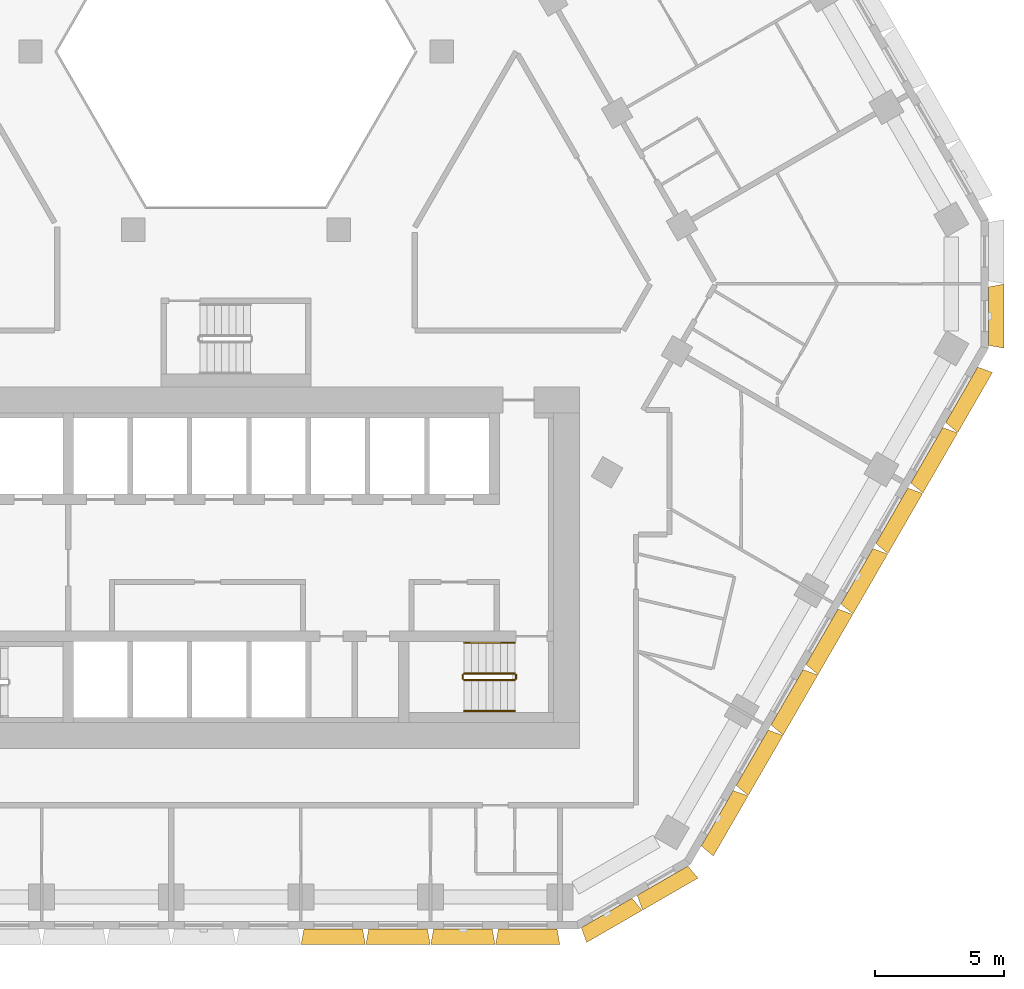
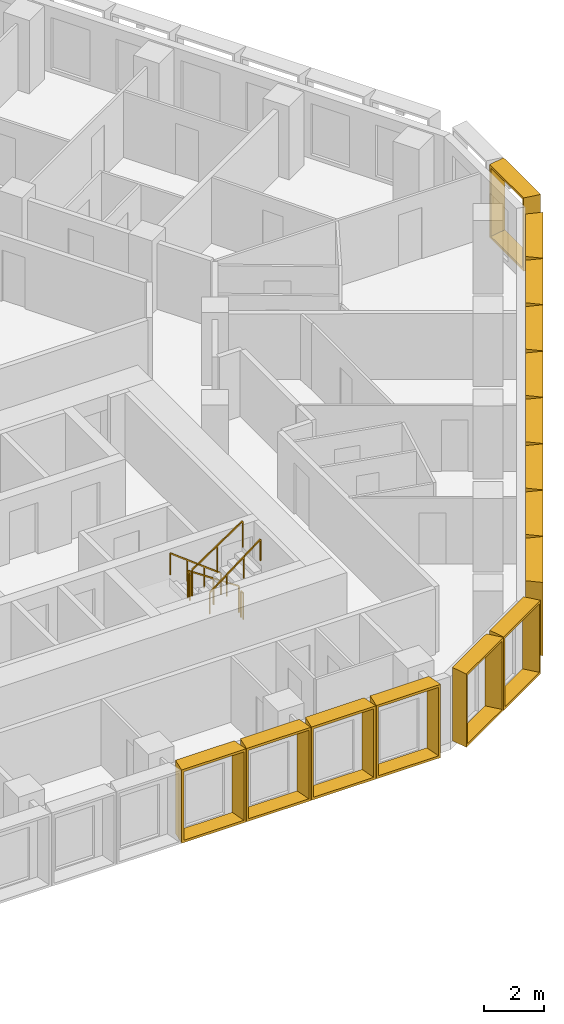
# One storey, part 17 of 18: 15 shading devices, 6 railings.
"""IFC4 building model written with IfcOpenShell, lengths in metres."""

from ifc_helpers import new_model, entity, si_unit, direction, frame, origin, origin_2d, place, context, subcontext, project, spatial, rectangle, extrude, source, transform, mapped, material, type_object, type_shapes, element, save


model = new_model("IFC4")

# Units and contexts
model_context = context("Model", 3, precision=1e-05, world=origin(), true_north=direction((0.0, 1.0)))
body_context = subcontext(model_context, "Body", "Model", "MODEL_VIEW")
ifc_project = project(units=[si_unit("LENGTHUNIT", "METRE"), si_unit("AREAUNIT", "SQUARE_METRE"), si_unit("VOLUMEUNIT", "CUBIC_METRE"), si_unit("PLANEANGLEUNIT", "RADIAN"), si_unit("MASSUNIT", "GRAM", prefix="KILO")], contexts=[model_context])

# Site, building, storey
site_placement = place(None, origin())
site = spatial("IfcSite", under=ifc_project, at=site_placement, CompositionType="ELEMENT")
building_placement = place(site_placement, origin())
building = spatial("IfcBuilding", under=site, at=building_placement, Name="Beryl Residences", CompositionType="ELEMENT")
storey_placement = place(building_placement, frame((0.0, 0.0, 81.0)))
storey = spatial("IfcBuildingStorey", under=building, at=storey_placement, Name="L24", CompositionType="ELEMENT", Elevation=81.0)

# Shading devices
ifc_material_1 = material(Name="Aluminium pale anodised", Category="aluminium")
shading_device_type_1 = type_object("IfcShadingDeviceType", Name="FR250-60A OUTER SKIN frame 600 mm deep, splay 10/10 deg, 2500 x 3000 mm cell", PredefinedType="USERDEFINED", material=ifc_material_1)
cartesian_point_1 = entity("IfcCartesianPoint", [-1.134033203125, 0.0])
cartesian_point_2 = entity("IfcCartesianPoint", [-1.052734375, 0.10009765625])
cartesian_point_3 = entity("IfcCartesianPoint", [-1.23974609375, 0.0])
cartesian_point_4 = entity("IfcCartesianPoint", [-1.158447265625, 0.10009765625])
shared_shape_1 = source(origin(), body_context, "Body", "SweptSolid", [
    entity("IfcExtrudedAreaSolidTapered", entity("IfcArbitraryProfileDefWithVoids", "AREA", None, entity("IfcPolyline", [cartesian_point_1, entity("IfcCartesianPoint", [1.134033203125, 0.0]), entity("IfcCartesianPoint", [1.134033203125, 3.0]), entity("IfcCartesianPoint", [-1.134033203125, 3.0]), cartesian_point_1]), [entity("IfcPolyline", [cartesian_point_2, entity("IfcCartesianPoint", [1.052734375, 0.10009765625]), entity("IfcCartesianPoint", [1.052734375, 2.89990234375]), entity("IfcCartesianPoint", [-1.052734375, 2.89990234375]), cartesian_point_2])]), entity("IfcAxis2Placement3D", entity("IfcCartesianPoint", [0.0, 0.0, 0.0]), entity("IfcDirection", [0.0, 1.0, 0.0]), entity("IfcDirection", [-1.0, 0.0, 0.0])), entity("IfcDirection", [0.0, 0.0, 1.0]), 0.60009765625, entity("IfcArbitraryProfileDefWithVoids", "AREA", None, entity("IfcPolyline", [cartesian_point_3, entity("IfcCartesianPoint", [1.23974609375, 0.0]), entity("IfcCartesianPoint", [1.23974609375, 3.0]), entity("IfcCartesianPoint", [-1.23974609375, 3.0]), cartesian_point_3]), [entity("IfcPolyline", [cartesian_point_4, entity("IfcCartesianPoint", [1.158447265625, 0.10009765625]), entity("IfcCartesianPoint", [1.158447265625, 2.89990234375]), entity("IfcCartesianPoint", [-1.158447265625, 2.89990234375]), cartesian_point_4])])),
])
type_shapes(shading_device_type_1, [shared_shape_1])
for number, where, z_axis, x_axis, name in (
    (1, (14.361083984375, -25.375, 0.0), (0.0, 0.0, 1.0), (-0.866025403784, -0.5, 0.0), "FR250-60A frame L24 S-SE 1"),
    (2, (16.527099609375, -24.125, 0.0), (0.0, 0.0, 1.0), (-0.866025403784, -0.5, 0.0), "FR250-60A frame L24 S-SE 2"),
    (3, (29.156982421875, -2.25, 0.0), (0.0, 0.0, 1.0), (0.0, -1.0, 0.0), "FR250-60A frame L24 SE-NE 1"),
):
    element("IfcShadingDevice", number, at=place(storey_placement, frame(where, z_axis=z_axis, x_axis=x_axis)), inside=storey, type_object=shading_device_type_1, Name=name, ObjectType="OUTER SKIN", PredefinedType="USERDEFINED", context=body_context, shape_type="MappedRepresentation", body=[
        mapped(shared_shape_1, transform((0.0, 0.0, 0.0))),
    ])
ifc_material_2 = material(Name="Aluminium pale anodised", Category="aluminium")
shading_device_type_2 = type_object("IfcShadingDeviceType", Name="FR251-60A OUTER SKIN frame 600 mm deep, splay 10/10 deg, 2510 x 3000 mm cell", PredefinedType="USERDEFINED", material=ifc_material_2)
cartesian_point_5 = entity("IfcCartesianPoint", [-1.138916015625, 0.0])
cartesian_point_6 = entity("IfcCartesianPoint", [-1.057861328125, 0.10009765625])
cartesian_point_7 = entity("IfcCartesianPoint", [-1.244873046875, 0.0])
cartesian_point_8 = entity("IfcCartesianPoint", [-1.16357421875, 0.10009765625])
shared_shape_2 = source(origin(), body_context, "Body", "SweptSolid", [
    entity("IfcExtrudedAreaSolidTapered", entity("IfcArbitraryProfileDefWithVoids", "AREA", None, entity("IfcPolyline", [cartesian_point_5, entity("IfcCartesianPoint", [1.138916015625, 0.0]), entity("IfcCartesianPoint", [1.138916015625, 3.0]), entity("IfcCartesianPoint", [-1.138916015625, 3.0]), cartesian_point_5]), [entity("IfcPolyline", [cartesian_point_6, entity("IfcCartesianPoint", [1.057861328125, 0.10009765625]), entity("IfcCartesianPoint", [1.057861328125, 2.89990234375]), entity("IfcCartesianPoint", [-1.057861328125, 2.89990234375]), cartesian_point_6])]), entity("IfcAxis2Placement3D", entity("IfcCartesianPoint", [0.0, 0.0, 0.0]), entity("IfcDirection", [0.0, 1.0, 0.0]), entity("IfcDirection", [-1.0, 0.0, 0.0])), entity("IfcDirection", [0.0, 0.0, 1.0]), 0.60009765625, entity("IfcArbitraryProfileDefWithVoids", "AREA", None, entity("IfcPolyline", [cartesian_point_7, entity("IfcCartesianPoint", [1.244873046875, 0.0]), entity("IfcCartesianPoint", [1.244873046875, 3.0]), entity("IfcCartesianPoint", [-1.244873046875, 3.0]), cartesian_point_7]), [entity("IfcPolyline", [cartesian_point_8, entity("IfcCartesianPoint", [1.16357421875, 0.10009765625]), entity("IfcCartesianPoint", [1.16357421875, 2.89990234375]), entity("IfcCartesianPoint", [-1.16357421875, 2.89990234375]), cartesian_point_8])])),
])
type_shapes(shading_device_type_2, [shared_shape_2])
for number, where, z_axis, x_axis, name in (
    (4, (3.76806640625, -26.0, 0.0), (0.0, 0.0, 1.0), (-1.0, 0.0, 0.0), "FR251-60A frame L24 S 7"),
    (5, (6.279052734375, -26.0, 0.0), (0.0, 0.0, 1.0), (-1.0, 0.0, 0.0), "FR251-60A frame L24 S 8"),
    (6, (8.791015625, -26.0, 0.0), (0.0, 0.0, 1.0), (-1.0, 0.0, 0.0), "FR251-60A frame L24 S 9"),
    (7, (11.302001953125, -26.0, 0.0), (0.0, 0.0, 1.0), (-1.0, 0.0, 0.0), "FR251-60A frame L24 S 10"),
):
    element("IfcShadingDevice", number, at=place(storey_placement, frame(where, z_axis=z_axis, x_axis=x_axis)), inside=storey, type_object=shading_device_type_2, Name=name, ObjectType="OUTER SKIN", PredefinedType="USERDEFINED", context=body_context, shape_type="MappedRepresentation", body=[
        mapped(shared_shape_2, transform((0.0, 0.0, 0.0))),
    ])
ifc_material_3 = material(Name="Aluminium pale anodised", Category="aluminium")
shading_device_type_3 = type_object("IfcShadingDeviceType", Name="FR271-60A OUTER SKIN frame 600 mm deep, splay 10/10 deg, 2710 x 3000 mm cell", PredefinedType="USERDEFINED", material=ifc_material_3)
cartesian_point_9 = entity("IfcCartesianPoint", [-1.239013671875, 0.0])
cartesian_point_10 = entity("IfcCartesianPoint", [-1.15771484375, 0.10009765625])
cartesian_point_11 = entity("IfcCartesianPoint", [-1.3447265625, 0.0])
cartesian_point_12 = entity("IfcCartesianPoint", [-1.263671875, 0.10009765625])
shared_shape_3 = source(origin(), body_context, "Body", "SweptSolid", [
    entity("IfcExtrudedAreaSolidTapered", entity("IfcArbitraryProfileDefWithVoids", "AREA", None, entity("IfcPolyline", [cartesian_point_9, entity("IfcCartesianPoint", [1.239013671875, 0.0]), entity("IfcCartesianPoint", [1.239013671875, 3.0]), entity("IfcCartesianPoint", [-1.239013671875, 3.0]), cartesian_point_9]), [entity("IfcPolyline", [cartesian_point_10, entity("IfcCartesianPoint", [1.15771484375, 0.10009765625]), entity("IfcCartesianPoint", [1.15771484375, 2.89990234375]), entity("IfcCartesianPoint", [-1.15771484375, 2.89990234375]), cartesian_point_10])]), entity("IfcAxis2Placement3D", entity("IfcCartesianPoint", [0.0, 0.0, 0.0]), entity("IfcDirection", [0.0, 1.0, 0.0]), entity("IfcDirection", [-1.0, 0.0, 0.0])), entity("IfcDirection", [0.0, 0.0, 1.0]), 0.60009765625, entity("IfcArbitraryProfileDefWithVoids", "AREA", None, entity("IfcPolyline", [cartesian_point_11, entity("IfcCartesianPoint", [1.3447265625, 0.0]), entity("IfcCartesianPoint", [1.3447265625, 3.0]), entity("IfcCartesianPoint", [-1.3447265625, 3.0]), cartesian_point_11]), [entity("IfcPolyline", [cartesian_point_12, entity("IfcCartesianPoint", [1.263671875, 0.10009765625]), entity("IfcCartesianPoint", [1.263671875, 2.89990234375]), entity("IfcCartesianPoint", [-1.263671875, 2.89990234375]), cartesian_point_12])])),
])
type_shapes(shading_device_type_3, [shared_shape_3])
for number, where, z_axis, x_axis, name in (
    (8, (18.64697265625, -21.7041015625, 0.0), (0.0, 0.0, 1.0), (-0.5, -0.866025403784, 0.0), "FR271-60A frame L24 SE 1"),
    (9, (20.0, -19.360107421875, 0.0), (0.0, 0.0, 1.0), (-0.5, -0.866025403784, 0.0), "FR271-60A frame L24 SE 2"),
    (10, (21.35302734375, -17.01611328125, 0.0), (0.0, 0.0, 1.0), (-0.5, -0.866025403784, 0.0), "FR271-60A frame L24 SE 3"),
    (11, (22.7060546875, -14.672119140625, 0.0), (0.0, 0.0, 1.0), (-0.5, -0.866025403784, 0.0), "FR271-60A frame L24 SE 4"),
    (12, (24.06005859375, -12.327880859375, 0.0), (0.0, 0.0, 1.0), (-0.5, -0.866025403784, 0.0), "FR271-60A frame L24 SE 5"),
    (13, (25.4130859375, -9.98388671875, 0.0), (0.0, 0.0, 1.0), (-0.5, -0.866025403784, 0.0), "FR271-60A frame L24 SE 6"),
    (14, (26.76611328125, -7.639892578125, 0.0), (0.0, 0.0, 1.0), (-0.5, -0.866025403784, 0.0), "FR271-60A frame L24 SE 7"),
    (15, (28.118896484375, -5.2958984375, 0.0), (0.0, 0.0, 1.0), (-0.5, -0.866025403784, 0.0), "FR271-60A frame L24 SE 8"),
):
    element("IfcShadingDevice", number, at=place(storey_placement, frame(where, z_axis=z_axis, x_axis=x_axis)), inside=storey, type_object=shading_device_type_3, Name=name, ObjectType="OUTER SKIN", PredefinedType="USERDEFINED", context=body_context, shape_type="MappedRepresentation", body=[
        mapped(shared_shape_3, transform((0.0, 0.0, 0.0))),
    ])

# Railings
ifc_material_4 = material(Name="Stainless steel balustrade with glass infill", Category="steel")
railing_type_1 = type_object("IfcRailingType", Name="SG1 stair guard 1100 mm", PredefinedType="GUARDRAIL", material=ifc_material_4)
railing_1_placement = place(storey_placement, frame((10.800048828125, -16.10009765625, 0.1875)))
element("IfcRailing", 16, at=railing_1_placement, inside=storey, type_object=railing_type_1, Name="L24 ST-3 stair guard 1", PredefinedType="GUARDRAIL", context=body_context, shape_type="SweptSolid", body=[
    extrude(rectangle(XDim=0.048095703125, YDim=0.048095703125, at=origin_2d()), frame((0.0, 0.0, 1.076171875), z_axis=(-0.830902050051, 0.0, 0.556418712142), x_axis=(0.0, -1.0, 0.0)), (0.0, 0.0, 1.0), 2.35888671875),
    extrude(rectangle(XDim=0.0419921875, YDim=0.0419921875, at=origin_2d()), origin(), (0.0, 0.0, 1.0), 1.052001953125),
    extrude(rectangle(XDim=0.0419921875, YDim=0.0419921875, at=origin_2d()), frame((-0.97998046875, 0.0, 0.65625)), (0.0, 0.0, 1.0), 1.052001953125),
    extrude(rectangle(XDim=0.0419921875, YDim=0.0419921875, at=origin_2d()), frame((-1.9599609375, 0.0, 1.3125)), (0.0, 0.0, 1.0), 1.052001953125),
])
railing_2_placement = place(storey_placement, frame((8.7900390625, -16.14990234375, 1.5)))
element("IfcRailing", 17, at=railing_2_placement, inside=storey, type_object=railing_type_1, Name="L24 ST-3 stair guard 2", PredefinedType="GUARDRAIL", context=body_context, shape_type="SweptSolid", body=[
    extrude(rectangle(XDim=0.048095703125, YDim=0.048095703125, at=origin_2d()), frame((0.0, 0.0, 1.076171875), z_axis=(0.0, -1.0, 0.0), x_axis=(1.0, 0.0, 0.0)), (0.0, 0.0, 1.0), 0.150146484375),
    extrude(rectangle(XDim=0.0419921875, YDim=0.0419921875, at=origin_2d()), origin(), (0.0, 0.0, 1.0), 1.052001953125),
    extrude(rectangle(XDim=0.0419921875, YDim=0.0419921875, at=origin_2d()), frame((0.0, -0.150146484375, 0.0)), (0.0, 0.0, 1.0), 1.052001953125),
])
railing_3_placement = place(storey_placement, frame((8.840087890625, -16.35009765625, 1.6875)))
element("IfcRailing", 18, at=railing_3_placement, inside=storey, type_object=railing_type_1, Name="L24 ST-3 stair guard 3", PredefinedType="GUARDRAIL", context=body_context, shape_type="SweptSolid", body=[
    extrude(rectangle(XDim=0.048095703125, YDim=0.048095703125, at=origin_2d()), frame((0.0, 0.0, 1.076171875), z_axis=(0.830902050051, 0.0, 0.556418712142), x_axis=(0.0, 1.0, 0.0)), (0.0, 0.0, 1.0), 2.35888671875),
    extrude(rectangle(XDim=0.0419921875, YDim=0.0419921875, at=origin_2d()), origin(), (0.0, 0.0, 1.0), 1.052001953125),
    extrude(rectangle(XDim=0.0419921875, YDim=0.0419921875, at=origin_2d()), frame((0.97998046875, 0.0, 0.65625)), (0.0, 0.0, 1.0), 1.052001953125),
    extrude(rectangle(XDim=0.0419921875, YDim=0.0419921875, at=origin_2d()), frame((1.9599609375, 0.0, 1.3125)), (0.0, 0.0, 1.0), 1.052001953125),
])
railing_4_placement = place(storey_placement, frame((10.85009765625, -16.14990234375, 0.0)))
element("IfcRailing", 19, at=railing_4_placement, inside=storey, type_object=railing_type_1, Name="L24 ST-3 stair guard 4", PredefinedType="GUARDRAIL", context=body_context, shape_type="SweptSolid", body=[
    extrude(rectangle(XDim=0.048095703125, YDim=0.048095703125, at=origin_2d()), frame((0.0, 0.0, 1.076171875), z_axis=(0.0, -1.0, 0.0), x_axis=(1.0, 0.0, 0.0)), (0.0, 0.0, 1.0), 0.150146484375),
    extrude(rectangle(XDim=0.0419921875, YDim=0.0419921875, at=origin_2d()), origin(), (0.0, 0.0, 1.0), 1.052001953125),
    extrude(rectangle(XDim=0.0419921875, YDim=0.0419921875, at=origin_2d()), frame((0.0, -0.150146484375, 0.0)), (0.0, 0.0, 1.0), 1.052001953125),
])
ifc_material_5 = material(Name="Stainless steel handrail", Category="steel")
railing_type_2 = type_object("IfcRailingType", Name="SRL1 stair handrail 900 mm", PredefinedType="HANDRAIL", material=ifc_material_5)
railing_5_placement = place(storey_placement, frame((10.800048828125, -14.89990234375, 0.1875)))
element("IfcRailing", 20, at=railing_5_placement, inside=storey, type_object=railing_type_2, Name="L24 ST-3 stair handrail 1", PredefinedType="HANDRAIL", context=body_context, shape_type="SweptSolid", body=[
    extrude(rectangle(XDim=0.048095703125, YDim=0.048095703125, at=origin_2d()), frame((0.0, 0.0, 0.8759765625), z_axis=(-0.794121922505, 0.0, 0.607758481798), x_axis=(0.0, -1.0, 0.0)), (0.0, 0.0, 1.0), 2.468017578125),
    extrude(rectangle(XDim=0.0419921875, YDim=0.0419921875, at=origin_2d()), origin(), (0.0, 0.0, 1.0), 0.851806640625),
    extrude(rectangle(XDim=0.0419921875, YDim=0.0419921875, at=origin_2d()), frame((-0.6533203125, 0.0, 0.5)), (0.0, 0.0, 1.0), 0.851806640625),
    extrude(rectangle(XDim=0.0419921875, YDim=0.0419921875, at=origin_2d()), frame((-1.306640625, 0.0, 1.0)), (0.0, 0.0, 1.0), 0.851806640625),
    extrude(rectangle(XDim=0.0419921875, YDim=0.0419921875, at=origin_2d()), frame((-1.9599609375, 0.0, 1.5)), (0.0, 0.0, 1.0), 0.851806640625),
])
railing_6_placement = place(storey_placement, frame((8.840087890625, -17.550048828125, 1.6875)))
element("IfcRailing", 21, at=railing_6_placement, inside=storey, type_object=railing_type_2, Name="L24 ST-3 stair handrail 2", PredefinedType="HANDRAIL", context=body_context, shape_type="SweptSolid", body=[
    extrude(rectangle(XDim=0.048095703125, YDim=0.048095703125, at=origin_2d()), frame((0.0, 0.0, 0.8759765625), z_axis=(0.794121922505, 0.0, 0.607758481798), x_axis=(0.0, 1.0, 0.0)), (0.0, 0.0, 1.0), 2.468017578125),
    extrude(rectangle(XDim=0.0419921875, YDim=0.0419921875, at=origin_2d()), origin(), (0.0, 0.0, 1.0), 0.851806640625),
    extrude(rectangle(XDim=0.0419921875, YDim=0.0419921875, at=origin_2d()), frame((0.6533203125, 0.0, 0.5)), (0.0, 0.0, 1.0), 0.851806640625),
    extrude(rectangle(XDim=0.0419921875, YDim=0.0419921875, at=origin_2d()), frame((1.306640625, 0.0, 1.0)), (0.0, 0.0, 1.0), 0.851806640625),
    extrude(rectangle(XDim=0.0419921875, YDim=0.0419921875, at=origin_2d()), frame((1.9599609375, 0.0, 1.5)), (0.0, 0.0, 1.0), 0.851806640625),
])

save(model, "model.ifc")
